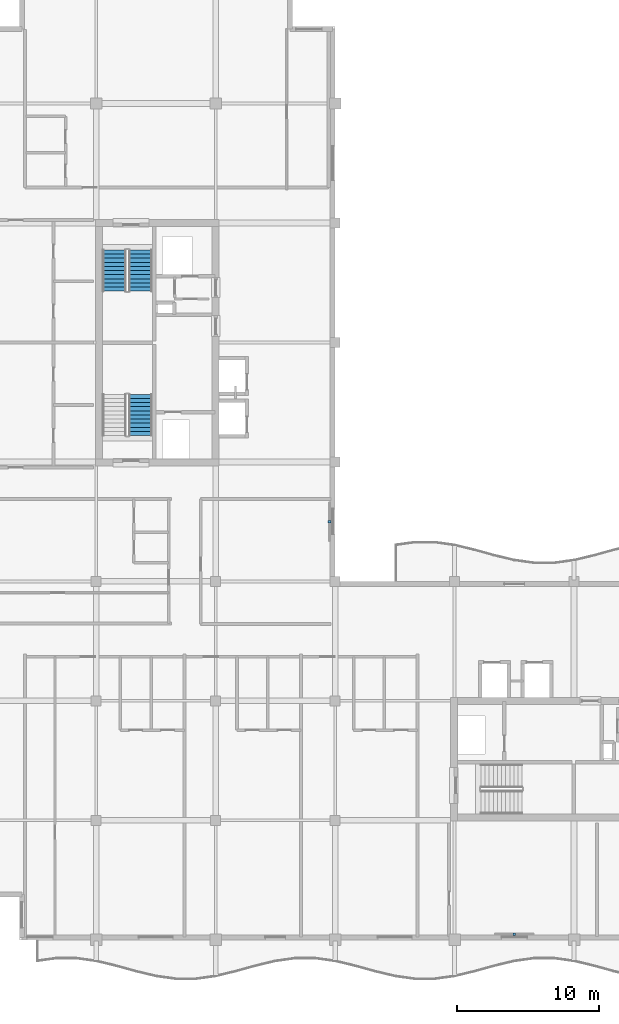
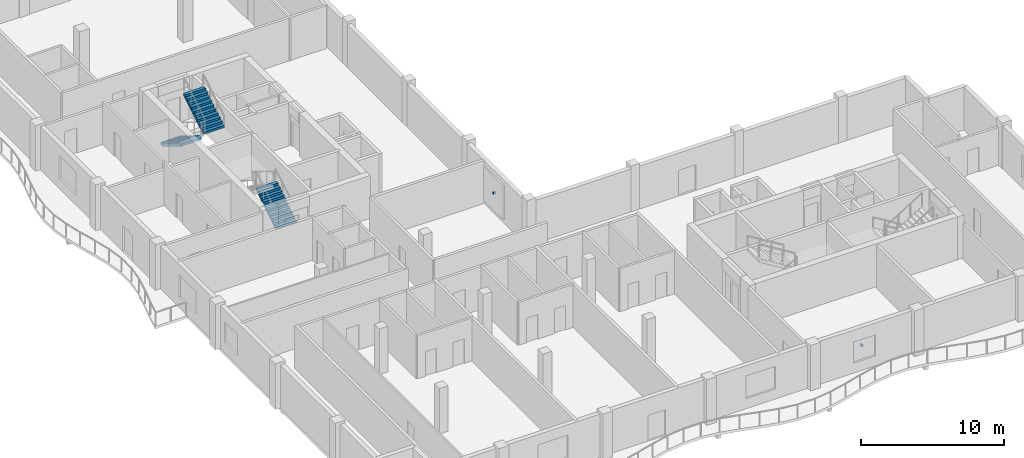
# One storey, part 8 of 11: 3 stair flights, 2 discrete accessories, 2 elements without a shape of their own.
"""IFC4 building model written with IfcOpenShell, lengths in metres."""

from ifc_helpers import new_model, si_unit, direction, frame, origin, origin_2d, place, context, subcontext, project, spatial, polyline, rectangle, outline, extrude, material, type_object, element, aggregate, save


model = new_model("IFC4")

# Units and contexts
model_context = context("Model", 3, precision=1e-05, world=origin(), true_north=direction((0.0, 1.0)))
body_context = subcontext(model_context, "Body", "Model", "MODEL_VIEW")
ifc_project = project(units=[si_unit("LENGTHUNIT", "METRE"), si_unit("AREAUNIT", "SQUARE_METRE"), si_unit("VOLUMEUNIT", "CUBIC_METRE"), si_unit("PLANEANGLEUNIT", "RADIAN"), si_unit("MASSUNIT", "GRAM", prefix="KILO")], contexts=[model_context])

# Site, building, storey
site_placement = place(None, origin())
site = spatial("IfcSite", under=ifc_project, at=site_placement, CompositionType="ELEMENT")
building_placement = place(site_placement, origin())
building = spatial("IfcBuilding", under=site, at=building_placement, Name="Koriwani Terraces Tower", CompositionType="ELEMENT")
storey_placement = place(building_placement, frame((0.0, 0.0, 320.300048828125)))
storey = spatial("IfcBuildingStorey", under=building, at=storey_placement, Name="L79", CompositionType="ELEMENT", Elevation=320.300048828125)

# Stair, stair flight
ifc_material_1 = material(Name="Concrete C40/50", Category="concrete")
stair_type = type_object("IfcStairType", Name="STAIR_CORE_DOGLEG_1650", PredefinedType="TWO_STRAIGHT_RUN_STAIR", material=ifc_material_1)
stair_1_placement = place(storey_placement, origin())
stair_1 = element("IfcStair", 1, at=stair_1_placement, inside=storey, type_object=stair_type, Name="L79 West Core Exit Stair 1", PredefinedType="HALF_TURN_STAIR")
stair_flight_type = type_object("IfcStairFlightType", Name="STAIR_FLIGHT_RC_1650", PredefinedType="STRAIGHT", material=ifc_material_1)
stair_flight_1_placement = place(storey_placement, frame((19.925048828125, 43.85009765625, 0.0), z_axis=(0.0, 0.0, 1.0), x_axis=(0.0, 1.0, 0.0)))
stair_flight_1 = element("IfcStairFlight", 2, at=stair_flight_1_placement, type_object=stair_flight_type, Name="ST-W1 flight 1", NumberOfRisers=11, NumberOfTreads=10, PredefinedType="STRAIGHT", RiserHeight=0.177272727, TreadLength=0.29, context=body_context, shape_type="SweptSolid", body=[
    extrude(outline(polyline([(0.0, 0.0), (0.0, 0.17724609375), (0.2900390625, 0.17724609375), (0.2900390625, 0.3544921875), (0.580078125, 0.3544921875), (0.580078125, 0.53173828125), (0.8701171875, 0.53173828125), (0.8701171875, 0.708984375), (1.159912109375, 0.708984375), (1.159912109375, 0.886474609375), (1.449951171875, 0.886474609375), (1.449951171875, 1.063720703125), (1.739990234375, 1.063720703125), (1.739990234375, 1.240966796875), (2.030029296875, 1.240966796875), (2.030029296875, 1.418212890625), (2.320068359375, 1.418212890625), (2.320068359375, 1.595458984375), (2.610107421875, 1.595458984375), (2.610107421875, 1.772705078125), (2.89990234375, 1.772705078125), (2.89990234375, 1.949951171875), (2.89990234375, 1.561767578125), (0.344970703125, 0.0), (0.0, 0.0)])), frame((0.0, 0.824951171875, 0.0), z_axis=(0.0, -1.0, 0.0), x_axis=(1.0, 0.0, 0.0)), (0.0, 0.0, 1.0), 1.64990234375),
])
aggregate(stair_1, [stair_flight_1])

# Stair, stair flights
stair_2_placement = place(storey_placement, origin())
stair_2 = element("IfcStair", 3, at=stair_2_placement, inside=storey, type_object=stair_type, Name="L79 West Core Exit Stair 2", PredefinedType="HALF_TURN_STAIR")
stair_flight_2_placement = place(storey_placement, frame((18.074951171875, 56.89990234375, 0.0), z_axis=(0.0, 0.0, 1.0), x_axis=(0.0, -1.0, 0.0)))
stair_flight_2 = element("IfcStairFlight", 4, at=stair_flight_2_placement, type_object=stair_flight_type, Name="ST-W2 flight 1", NumberOfRisers=11, NumberOfTreads=10, PredefinedType="STRAIGHT", RiserHeight=0.177272727, TreadLength=0.29, context=body_context, shape_type="SweptSolid", body=[
    extrude(outline(polyline([(0.0, 0.0), (0.0, 0.17724609375), (0.2900390625, 0.17724609375), (0.2900390625, 0.3544921875), (0.580078125, 0.3544921875), (0.580078125, 0.53173828125), (0.8701171875, 0.53173828125), (0.8701171875, 0.708984375), (1.159912109375, 0.708984375), (1.159912109375, 0.886474609375), (1.449951171875, 0.886474609375), (1.449951171875, 1.063720703125), (1.739990234375, 1.063720703125), (1.739990234375, 1.240966796875), (2.030029296875, 1.240966796875), (2.030029296875, 1.418212890625), (2.320068359375, 1.418212890625), (2.320068359375, 1.595458984375), (2.610107421875, 1.595458984375), (2.610107421875, 1.772705078125), (2.89990234375, 1.772705078125), (2.89990234375, 1.949951171875), (2.89990234375, 1.561767578125), (0.344970703125, 0.0), (0.0, 0.0)])), frame((0.0, 0.824951171875, 0.0), z_axis=(0.0, -1.0, 0.0), x_axis=(1.0, 0.0, 0.0)), (0.0, 0.0, 1.0), 1.64990234375),
])
stair_flight_3_placement = place(storey_placement, frame((19.925048828125, 54.0, 1.949951171875), z_axis=(0.0, 0.0, 1.0), x_axis=(0.0, 1.0, 0.0)))
stair_flight_3 = element("IfcStairFlight", 5, at=stair_flight_3_placement, type_object=stair_flight_type, Name="ST-W2 flight 2", NumberOfRisers=11, NumberOfTreads=10, PredefinedType="STRAIGHT", RiserHeight=0.177272727, TreadLength=0.29, context=body_context, shape_type="SweptSolid", body=[
    extrude(outline(polyline([(0.0, 0.0), (0.0, 0.17724609375), (0.2900390625, 0.17724609375), (0.2900390625, 0.3544921875), (0.580078125, 0.3544921875), (0.580078125, 0.53173828125), (0.8701171875, 0.53173828125), (0.8701171875, 0.708984375), (1.159912109375, 0.708984375), (1.159912109375, 0.886474609375), (1.449951171875, 0.886474609375), (1.449951171875, 1.063720703125), (1.739990234375, 1.063720703125), (1.739990234375, 1.240966796875), (2.030029296875, 1.240966796875), (2.030029296875, 1.418212890625), (2.320068359375, 1.418212890625), (2.320068359375, 1.595458984375), (2.610107421875, 1.595458984375), (2.610107421875, 1.772705078125), (2.89990234375, 1.772705078125), (2.89990234375, 1.949951171875), (2.89990234375, 1.561767578125), (0.344970703125, 0.0), (0.0, 0.0)])), frame((0.0, 0.824951171875, 0.0), z_axis=(0.0, -1.0, 0.0), x_axis=(1.0, 0.0, 0.0)), (0.0, 0.0, 1.0), 1.64990234375),
])
aggregate(stair_2, [stair_flight_2, stair_flight_3])

# Discrete accessories
ifc_material_2 = material(Name="Steel ASTM A572 Grade 50", Category="steel")
discrete_accessory_type = type_object("IfcDiscreteAccessoryType", Name="BAGUETTE_STANDOFF_BRACKET", PredefinedType="BRACKET", material=ifc_material_2)
for number, where, z_axis, x_axis, name in (
    (6, (33.2099609375, 37.800048828125, 1.7451171875), (0.0, 0.0, 1.0), (0.0, -1.0, 0.0), "L79 Terracotta Baguette Bracket (NW_IN-2)"),
    (7, (46.199951171875, 8.7900390625, 1.7451171875), (0.0, 0.0, 1.0), (-1.0, 0.0, 0.0), "L79 Terracotta Baguette Bracket (S-12)"),
):
    element("IfcDiscreteAccessory", number, at=place(storey_placement, frame(where, z_axis=z_axis, x_axis=x_axis)), inside=storey, type_object=discrete_accessory_type, Name=name, PredefinedType="BRACKET", context=body_context, shape_type="SweptSolid", body=[
        extrude(rectangle(XDim=0.159912109375, YDim=0.199951171875, at=origin_2d()), origin(), (0.0, 0.0, 1.0), 0.179931640625),
    ])

save(model, "model.ifc")
